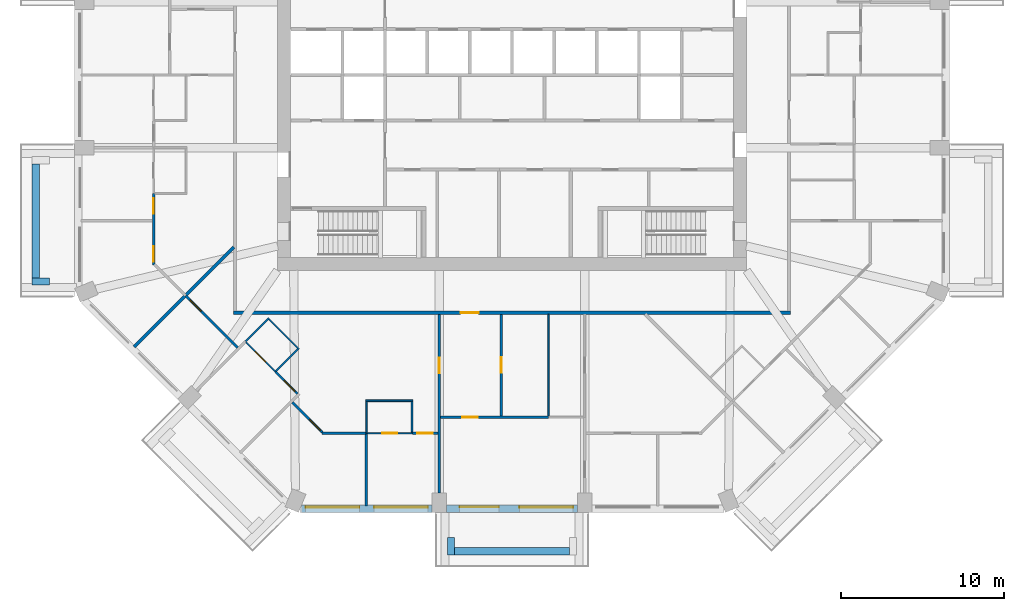
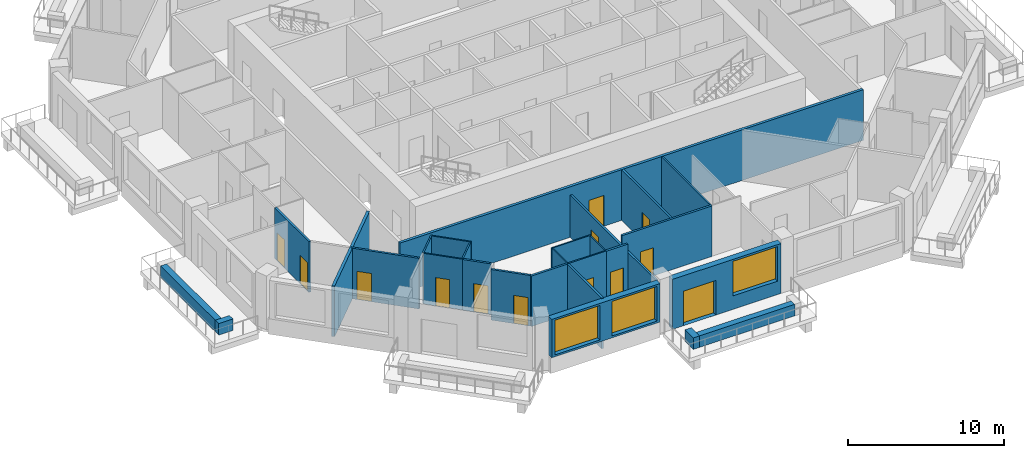
# One storey, part 3 of 13: 27 walls, 13 doors, 3 windows, 16 openings.
"""IFC4 building model written with IfcOpenShell, lengths in metres."""

from ifc_helpers import new_model, si_unit, direction, frame, frame_2d, origin, place, context, subcontext, project, spatial, rectangle, extrude, material, layer, layer_set, type_object, element, fill, save


model = new_model("IFC4")

# Units and contexts
model_context = context("Model", 3, precision=1e-05, world=origin(), true_north=direction((0.0, 1.0)))
body_context = subcontext(model_context, "Body", "Model", "MODEL_VIEW")
ifc_project = project(units=[si_unit("LENGTHUNIT", "METRE"), si_unit("AREAUNIT", "SQUARE_METRE"), si_unit("VOLUMEUNIT", "CUBIC_METRE"), si_unit("PLANEANGLEUNIT", "RADIAN"), si_unit("MASSUNIT", "GRAM", prefix="KILO")], contexts=[model_context])

# Site, building, storey
site_placement = place(None, origin())
site = spatial("IfcSite", under=ifc_project, at=site_placement, CompositionType="ELEMENT")
building_placement = place(site_placement, origin())
building = spatial("IfcBuilding", under=site, at=building_placement, Name="Msitu Wima Residences", CompositionType="ELEMENT")
storey_placement = place(building_placement, frame((0.0, 0.0, 131.699951171875)))
storey = spatial("IfcBuildingStorey", under=building, at=storey_placement, Name="L30", CompositionType="ELEMENT", Elevation=131.699951171875)

# Walls
ifc_material_1 = material(Name="Facing brick")
ifc_layer_1 = layer(ifc_material_1, 0.06494140625, Name="Facing brick")
ifc_material_2 = material(Name="Concrete C40/50", Category="concrete")
ifc_layer_2 = layer(ifc_material_2, 0.156005859375, Name="Concrete C40/50")
ifc_material_3 = material(Name="Waterproofing membrane")
ifc_layer_3 = layer(ifc_material_3, 0.00390625, Name="Waterproofing membrane")
ifc_material_4 = material(Name="Planting soil and planting")
ifc_layer_4 = layer(ifc_material_4, 0.22509765625, Name="Planting soil and planting")
ifc_layer_set_1 = layer_set([ifc_layer_1, ifc_layer_2, ifc_layer_3, ifc_layer_4], Name="Concrete C40/50")
wall_type_1 = type_object("IfcWallType", Name="Balcony planter PLANTER PL450", PredefinedType="USERDEFINED", material=ifc_layer_set_1)
wall_1_placement = place(storey_placement, frame((-29.22509765625, -5.468505859375, 0.0), z_axis=(0.0, 0.0, 1.0), x_axis=(0.0, -1.0, 0.0)))
element("IfcWall", 1, at=wall_1_placement, inside=storey, type_object=wall_type_1, Name="Balcony planter W2 L30", ObjectType="PLANTER", PredefinedType="USERDEFINED", context=body_context, shape_type="SweptSolid", body=[
    extrude(rectangle(XDim=6.9873046875, YDim=0.449951171875, at=frame_2d((3.49365234375, 0.0))), origin(), (0.0, 0.0, 1.0), 0.900146484375),
])
wall_2_placement = place(storey_placement, frame((-28.39990234375, -12.680908203125, 0.0), z_axis=(0.0, 0.0, 1.0), x_axis=(-1.0, 0.0, 0.0)))
element("IfcWall", 2, at=wall_2_placement, inside=storey, type_object=wall_type_1, Name="Balcony planter W2 L30", ObjectType="PLANTER", PredefinedType="USERDEFINED", context=body_context, shape_type="SweptSolid", body=[
    extrude(rectangle(XDim=1.050048828125, YDim=0.449951171875, at=frame_2d((0.52490234375, 0.0))), origin(), (0.0, 0.0, 1.0), 0.900146484375),
])
wall_3_placement = place(storey_placement, frame((-3.5185546875, -29.22509765625, 0.0), z_axis=(0.0, 0.0, 1.0), x_axis=(1.0, 0.0, 0.0)))
element("IfcWall", 3, at=wall_3_placement, inside=storey, type_object=wall_type_1, Name="Balcony planter S1 L30", ObjectType="PLANTER", PredefinedType="USERDEFINED", context=body_context, shape_type="SweptSolid", body=[
    extrude(rectangle(XDim=7.037109375, YDim=0.449951171875, at=frame_2d((3.5185546875, 0.0))), origin(), (0.0, 0.0, 1.0), 0.900146484375),
])
wall_4_placement = place(storey_placement, frame((-3.74365234375, -28.39990234375, 0.0), z_axis=(0.0, 0.0, 1.0), x_axis=(0.0, -1.0, 0.0)))
element("IfcWall", 4, at=wall_4_placement, inside=storey, type_object=wall_type_1, Name="Balcony planter S1 L30", ObjectType="PLANTER", PredefinedType="USERDEFINED", context=body_context, shape_type="SweptSolid", body=[
    extrude(rectangle(XDim=1.050048828125, YDim=0.449951171875, at=frame_2d((0.52490234375, 0.0))), origin(), (0.0, 0.0, 1.0), 0.900146484375),
])

# Wall, openings, windows
ifc_material_5 = material(Name="Brick (red buff mix)", Category="masonry")
ifc_layer_5 = layer(ifc_material_5, 0.449951171875)
ifc_layer_set_2 = layer_set([ifc_layer_5], Name="Brick (red buff mix)")
wall_type_2 = type_object("IfcWallType", Name="Brick infill wall BW450", PredefinedType="SOLIDWALL", material=ifc_layer_set_2)
wall_5_placement = place(storey_placement, frame((-12.918701171875, -26.625, 0.900146484375), z_axis=(0.0, 0.0, 1.0), x_axis=(1.0, 0.0, 0.0)))
wall_5 = element("IfcWall", 5, at=wall_5_placement, inside=storey, type_object=wall_type_2, Name="Brick infill wall L30 S0", PredefinedType="SOLIDWALL", context=body_context, shape_type="SweptSolid", body=[
    extrude(rectangle(XDim=8.0, YDim=0.449951171875, at=frame_2d((4.0, 0.0))), origin(), (0.0, 0.0, 1.0), 3.0),
])
opening_1_placement = place(wall_5_placement, frame((0.25, 0.0, 0.14990234375)))
opening_1 = element("IfcOpeningElement", 6, at=opening_1_placement, cuts=wall_5, Name="Opening W30-32.016", PredefinedType="OPENING", context=body_context, shape_type="SweptSolid", body=[
    extrude(rectangle(XDim=3.300048828125, YDim=2.699951171875, at=frame_2d((1.64990234375, 1.35009765625))), frame((0.0, 0.23486328125, 0.0), z_axis=(0.0, -1.0, 0.0), x_axis=(1.0, 0.0, 0.0)), (0.0, 0.0, 1.0), 0.469970703125),
])
opening_2_placement = place(wall_5_placement, frame((4.4501953125, 0.0, 0.14990234375)))
opening_2 = element("IfcOpeningElement", 7, at=opening_2_placement, cuts=wall_5, Name="Opening W30-32.017", PredefinedType="OPENING", context=body_context, shape_type="SweptSolid", body=[
    extrude(rectangle(XDim=3.300048828125, YDim=2.699951171875, at=frame_2d((1.64990234375, 1.35009765625))), frame((0.0, 0.23486328125, 0.0), z_axis=(0.0, -1.0, 0.0), x_axis=(1.0, 0.0, 0.0)), (0.0, 0.0, 1.0), 0.469970703125),
])
ifc_material_6 = material(Name="Anodised aluminium, bronze finish, clear low-emissivity double glazing", Category="aluminium")
window_type = type_object("IfcWindowType", Name="Window W3300x2700", PartitioningType="DOUBLE_PANEL_VERTICAL", PredefinedType="WINDOW", material=ifc_material_6)
window_1_placement = place(opening_1_placement, origin())
window_1 = element("IfcWindow", 8, at=window_1_placement, inside=storey, type_object=window_type, Name="Window L30 S0.1", OverallHeight=2.699951171875, OverallWidth=3.300048828125, PartitioningType="SINGLE_PANEL", PredefinedType="WINDOW", context=body_context, shape_type="SweptSolid", body=[
    extrude(rectangle(XDim=3.300048828125, YDim=2.699951171875, at=frame_2d((1.64990234375, 1.35009765625))), frame((0.0, 0.135009765625, 0.0), z_axis=(0.0, -1.0, 0.0), x_axis=(1.0, 0.0, 0.0)), (0.0, 0.0, 1.0), 0.06005859375),
])
fill(opening_1, window_1)
window_2_placement = place(opening_2_placement, origin())
window_2 = element("IfcWindow", 9, at=window_2_placement, inside=storey, type_object=window_type, Name="Window L30 S0.2", OverallHeight=2.699951171875, OverallWidth=3.300048828125, PartitioningType="SINGLE_PANEL", PredefinedType="WINDOW", context=body_context, shape_type="SweptSolid", body=[
    extrude(rectangle(XDim=3.300048828125, YDim=2.699951171875, at=frame_2d((1.64990234375, 1.35009765625))), frame((0.0, 0.135009765625, 0.0), z_axis=(0.0, -1.0, 0.0), x_axis=(1.0, 0.0, 0.0)), (0.0, 0.0, 1.0), 0.06005859375),
])
fill(opening_2, window_2)

# Wall, openings, door, window
wall_6_placement = place(storey_placement, frame((-4.0185546875, -26.625, 0.0), z_axis=(0.0, 0.0, 1.0), x_axis=(1.0, 0.0, 0.0)))
wall_6 = element("IfcWall", 10, at=wall_6_placement, inside=storey, type_object=wall_type_2, Name="Brick infill wall L30 S1", PredefinedType="SOLIDWALL", context=body_context, shape_type="SweptSolid", body=[
    extrude(rectangle(XDim=8.037109375, YDim=0.449951171875, at=frame_2d((4.0185546875, 0.0))), origin(), (0.0, 0.0, 1.0), 3.900146484375),
])
opening_3_placement = place(wall_6_placement, frame((0.809326171875, 0.0, 0.0)))
opening_3 = element("IfcOpeningElement", 11, at=opening_3_placement, cuts=wall_6, Name="Opening D30-32.006", PredefinedType="OPENING", context=body_context, shape_type="SweptSolid", body=[
    extrude(rectangle(XDim=2.39990234375, YDim=2.699951171875, at=frame_2d((1.199951171875, 1.35009765625))), frame((0.0, 0.23486328125, 0.0), z_axis=(0.0, -1.0, 0.0), x_axis=(1.0, 0.0, 0.0)), (0.0, 0.0, 1.0), 0.469970703125),
])
opening_4_placement = place(wall_6_placement, frame((4.46875, 0.0, 1.050048828125)))
opening_4 = element("IfcOpeningElement", 12, at=opening_4_placement, cuts=wall_6, Name="Opening W30-32.018", PredefinedType="OPENING", context=body_context, shape_type="SweptSolid", body=[
    extrude(rectangle(XDim=3.300048828125, YDim=2.699951171875, at=frame_2d((1.64990234375, 1.35009765625))), frame((0.0, 0.23486328125, 0.0), z_axis=(0.0, -1.0, 0.0), x_axis=(1.0, 0.0, 0.0)), (0.0, 0.0, 1.0), 0.469970703125),
])
door_type_1 = type_object("IfcDoorType", Name="Balcony door D2400x2700", OperationType="SLIDING_TO_LEFT", PredefinedType="DOOR", material=ifc_material_6)
door_1_placement = place(opening_3_placement, origin())
door_1 = element("IfcDoor", 13, at=door_1_placement, inside=storey, type_object=door_type_1, Name="Balcony door L30 S1", OperationType="SINGLE_SWING_LEFT", OverallHeight=2.699951171875, OverallWidth=2.39990234375, PredefinedType="DOOR", context=body_context, shape_type="SweptSolid", body=[
    extrude(rectangle(XDim=2.39990234375, YDim=2.699951171875, at=frame_2d((1.199951171875, 1.35009765625))), frame((0.0, 0.1298828125, 0.0), z_axis=(0.0, -1.0, 0.0), x_axis=(1.0, 0.0, 0.0)), (0.0, 0.0, 1.0), 0.050048828125),
])
fill(opening_3, door_1)
window_3_placement = place(opening_4_placement, origin())
window_3 = element("IfcWindow", 14, at=window_3_placement, inside=storey, type_object=window_type, Name="Window L30 S1.2", OverallHeight=2.699951171875, OverallWidth=3.300048828125, PartitioningType="SINGLE_PANEL", PredefinedType="WINDOW", context=body_context, shape_type="SweptSolid", body=[
    extrude(rectangle(XDim=3.300048828125, YDim=2.699951171875, at=frame_2d((1.64990234375, 1.35009765625))), frame((0.0, 0.135009765625, 0.0), z_axis=(0.0, -1.0, 0.0), x_axis=(1.0, 0.0, 0.0)), (0.0, 0.0, 1.0), 0.06005859375),
])
fill(opening_4, window_3)

# Wall, opening, door
ifc_material_7 = material(Name="Plaster")
ifc_layer_6 = layer(ifc_material_7, 0.011962890625, Name="Plaster")
ifc_material_8 = material(Name="Concrete blockwork", Category="masonry")
ifc_layer_7 = layer(ifc_material_8, 0.176025390625, Name="Concrete blockwork")
ifc_layer_8 = layer(ifc_material_7, 0.011962890625, Name="Plaster")
ifc_layer_set_3 = layer_set([ifc_layer_6, ifc_layer_7, ifc_layer_8], Name="Concrete blockwork")
wall_type_3 = type_object("IfcWallType", Name="Corridor wall FW200", PredefinedType="PARTITIONING", material=ifc_layer_set_3)
wall_7_placement = place(storey_placement, frame((-17.10009765625, -14.60009765625, 0.0), z_axis=(0.0, 0.0, 1.0), x_axis=(1.0, 0.0, 0.0)))
wall_7 = element("IfcWall", 15, at=wall_7_placement, inside=storey, type_object=wall_type_3, Name="Corridor wall", PredefinedType="PARTITIONING", context=body_context, shape_type="SweptSolid", body=[
    extrude(rectangle(XDim=34.2001953125, YDim=0.199951171875, at=frame_2d((17.10009765625, 0.0))), origin(), (0.0, 0.0, 1.0), 3.949951171875),
])
opening_5_placement = place(wall_7_placement, frame((13.949951171875, 0.0, 0.0)))
opening_5 = element("IfcOpeningElement", 16, at=opening_5_placement, cuts=wall_7, Name="Opening D30-32.013", PredefinedType="OPENING", context=body_context, shape_type="SweptSolid", body=[
    extrude(rectangle(XDim=1.10009765625, YDim=2.39990234375, at=frame_2d((0.550048828125, 1.199951171875))), frame((0.0, 0.10986328125, 0.0), z_axis=(0.0, -1.0, 0.0), x_axis=(1.0, 0.0, 0.0)), (0.0, 0.0, 1.0), 0.219970703125),
])
ifc_material_9 = material(Name="Timber flush door, fire resisting, self-closing", Category="wood")
door_type_2 = type_object("IfcDoorType", Name="Flat entrance door D01 1100x2400", OperationType="SINGLE_SWING_LEFT", PredefinedType="DOOR", material=ifc_material_9)
door_2_placement = place(opening_5_placement, origin())
door_2 = element("IfcDoor", 17, at=door_2_placement, inside=storey, type_object=door_type_2, Name="Flat entrance door", OperationType="SINGLE_SWING_RIGHT", OverallHeight=2.39990234375, OverallWidth=1.10009765625, PredefinedType="DOOR", context=body_context, shape_type="SweptSolid", body=[
    extrude(rectangle(XDim=1.10009765625, YDim=2.39990234375, at=frame_2d((0.550048828125, 1.199951171875))), frame((0.0, 0.02490234375, 0.0), z_axis=(0.0, -1.0, 0.0), x_axis=(1.0, 0.0, 0.0)), (0.0, 0.0, 1.0), 0.050048828125),
])
fill(opening_5, door_2)

# Wall, openings, doors
ifc_layer_9 = layer(ifc_material_7, 0.011962890625, Name="Plaster")
ifc_layer_10 = layer(ifc_material_8, 0.1259765625, Name="Concrete blockwork")
ifc_layer_11 = layer(ifc_material_7, 0.011962890625, Name="Plaster")
ifc_layer_set_4 = layer_set([ifc_layer_9, ifc_layer_10, ifc_layer_11], Name="Concrete blockwork")
wall_type_4 = type_object("IfcWallType", Name="Partition PW150", PredefinedType="PARTITIONING", material=ifc_layer_set_4)
wall_8_placement = place(storey_placement, frame((-22.0, -11.658447265625, 0.0), z_axis=(0.0, 0.0, 1.0), x_axis=(0.0, 1.0, 0.0)))
wall_8 = element("IfcWall", 18, at=wall_8_placement, inside=storey, type_object=wall_type_4, Name="Partition", PredefinedType="PARTITIONING", context=body_context, shape_type="SweptSolid", body=[
    extrude(rectangle(XDim=4.389892578125, YDim=0.14990234375, at=frame_2d((2.19482421875, 0.0))), origin(), (0.0, 0.0, 1.0), 3.949951171875),
])
opening_6_placement = place(wall_8_placement, frame((3.14990234375, 0.0, 0.0)))
opening_6 = element("IfcOpeningElement", 19, at=opening_6_placement, cuts=wall_8, Name="Opening D30-32.048", PredefinedType="OPENING", context=body_context, shape_type="SweptSolid", body=[
    extrude(rectangle(XDim=0.949951171875, YDim=2.199951171875, at=frame_2d((0.47509765625, 1.10009765625))), frame((0.0, 0.0849609375, 0.0), z_axis=(0.0, -1.0, 0.0), x_axis=(1.0, 0.0, 0.0)), (0.0, 0.0, 1.0), 0.169921875),
])
opening_7_placement = place(wall_8_placement, frame((0.199951171875, 0.0, 0.0)))
opening_7 = element("IfcOpeningElement", 20, at=opening_7_placement, cuts=wall_8, Name="Opening D30-32.054", PredefinedType="OPENING", context=body_context, shape_type="SweptSolid", body=[
    extrude(rectangle(XDim=0.949951171875, YDim=2.199951171875, at=frame_2d((0.47509765625, 1.10009765625))), frame((0.0, 0.0849609375, 0.0), z_axis=(0.0, -1.0, 0.0), x_axis=(1.0, 0.0, 0.0)), (0.0, 0.0, 1.0), 0.169921875),
])
ifc_material_10 = material(Name="Timber flush door", Category="wood")
door_type_3 = type_object("IfcDoorType", Name="Room door D12 950x2200", OperationType="SINGLE_SWING_LEFT", PredefinedType="DOOR", material=ifc_material_10)
door_3_placement = place(opening_6_placement, origin())
door_3 = element("IfcDoor", 21, at=door_3_placement, inside=storey, type_object=door_type_3, Name="Room door", OperationType="SINGLE_SWING_LEFT", OverallHeight=2.199951171875, OverallWidth=0.949951171875, PredefinedType="DOOR", context=body_context, shape_type="SweptSolid", body=[
    extrude(rectangle(XDim=0.949951171875, YDim=2.199951171875, at=frame_2d((0.47509765625, 1.10009765625))), frame((0.0, 0.02490234375, 0.0), z_axis=(0.0, -1.0, 0.0), x_axis=(1.0, 0.0, 0.0)), (0.0, 0.0, 1.0), 0.050048828125),
])
fill(opening_6, door_3)
door_4_placement = place(opening_7_placement, origin())
door_4 = element("IfcDoor", 22, at=door_4_placement, inside=storey, type_object=door_type_3, Name="Room door", OperationType="SINGLE_SWING_RIGHT", OverallHeight=2.199951171875, OverallWidth=0.949951171875, PredefinedType="DOOR", context=body_context, shape_type="SweptSolid", body=[
    extrude(rectangle(XDim=0.949951171875, YDim=2.199951171875, at=frame_2d((0.47509765625, 1.10009765625))), frame((0.0, 0.02490234375, 0.0), z_axis=(0.0, -1.0, 0.0), x_axis=(1.0, 0.0, 0.0)), (0.0, 0.0, 1.0), 0.050048828125),
])
fill(opening_7, door_4)

# Wall, opening, door
wall_9_placement = place(storey_placement, frame((-20.040283203125, -13.543212890625, 0.0), z_axis=(0.0, 0.0, 1.0), x_axis=(0.707133793192, -0.707079768149, 0.0)))
wall_9 = element("IfcWall", 23, at=wall_9_placement, inside=storey, type_object=wall_type_4, Name="Partition", PredefinedType="PARTITIONING", context=body_context, shape_type="SweptSolid", body=[
    extrude(rectangle(XDim=4.51904296875, YDim=0.14990234375, at=frame_2d((2.259521484375, 0.0))), origin(), (0.0, 0.0, 1.0), 3.949951171875),
])
opening_8_placement = place(wall_9_placement, frame((0.39990234375, 0.0, 0.0)))
opening_8 = element("IfcOpeningElement", 24, at=opening_8_placement, cuts=wall_9, Name="Opening D30-32.060", PredefinedType="OPENING", context=body_context, shape_type="SweptSolid", body=[
    extrude(rectangle(XDim=0.949951171875, YDim=2.199951171875, at=frame_2d((0.47509765625, 1.10009765625))), frame((0.0, 0.0849609375, 0.0), z_axis=(0.0, -1.0, 0.0), x_axis=(1.0, 0.0, 0.0)), (0.0, 0.0, 1.0), 0.169921875),
])
door_5_placement = place(opening_8_placement, origin())
door_5 = element("IfcDoor", 25, at=door_5_placement, inside=storey, type_object=door_type_3, Name="Room door", OperationType="SINGLE_SWING_RIGHT", OverallHeight=2.199951171875, OverallWidth=0.949951171875, PredefinedType="DOOR", context=body_context, shape_type="SweptSolid", body=[
    extrude(rectangle(XDim=0.949951171875, YDim=2.199951171875, at=frame_2d((0.47509765625, 1.10009765625))), frame((0.0, 0.02490234375, 0.0), z_axis=(0.0, -1.0, 0.0), x_axis=(1.0, 0.0, 0.0)), (0.0, 0.0, 1.0), 0.050048828125),
])
fill(opening_8, door_5)

wall_10_placement = place(storey_placement, frame((-14.514892578125, -18.219970703125, 0.0), z_axis=(0.0, 0.0, 1.0), x_axis=(0.707106781187, -0.707106781187, 0.0)))
wall_10 = element("IfcWall", 26, at=wall_10_placement, inside=storey, type_object=wall_type_4, Name="Partition", PredefinedType="PARTITIONING", context=body_context, shape_type="SweptSolid", body=[
    extrude(rectangle(XDim=1.8994140625, YDim=0.14990234375, at=frame_2d((0.94970703125, 0.0))), origin(), (0.0, 0.0, 1.0), 3.949951171875),
])
opening_9_placement = place(wall_10_placement, frame((0.75, 0.0, 0.0)))
opening_9 = element("IfcOpeningElement", 27, at=opening_9_placement, cuts=wall_10, Name="Opening D30-32.066", PredefinedType="OPENING", context=body_context, shape_type="SweptSolid", body=[
    extrude(rectangle(XDim=0.949951171875, YDim=2.199951171875, at=frame_2d((0.47509765625, 1.10009765625))), frame((0.0, 0.0849609375, 0.0), z_axis=(0.0, -1.0, 0.0), x_axis=(1.0, 0.0, 0.0)), (0.0, 0.0, 1.0), 0.169921875),
])
door_6_placement = place(opening_9_placement, origin())
door_6 = element("IfcDoor", 28, at=door_6_placement, inside=storey, type_object=door_type_3, Name="Room door", OperationType="SINGLE_SWING_LEFT", OverallHeight=2.199951171875, OverallWidth=0.949951171875, PredefinedType="DOOR", context=body_context, shape_type="SweptSolid", body=[
    extrude(rectangle(XDim=0.949951171875, YDim=2.199951171875, at=frame_2d((0.47509765625, 1.10009765625))), frame((0.0, 0.02490234375, 0.0), z_axis=(0.0, -1.0, 0.0), x_axis=(1.0, 0.0, 0.0)), (0.0, 0.0, 1.0), 0.050048828125),
])
fill(opening_9, door_6)

wall_11_placement = place(storey_placement, frame((-13.489990234375, -20.09326171875, 0.0), z_axis=(0.0, 0.0, 1.0), x_axis=(0.707060213517, -0.70715334579, 0.0)))
wall_11 = element("IfcWall", 29, at=wall_11_placement, inside=storey, type_object=wall_type_4, Name="Partition", PredefinedType="PARTITIONING", context=body_context, shape_type="SweptSolid", body=[
    extrude(rectangle(XDim=2.621337890625, YDim=0.14990234375, at=frame_2d((1.310546875, 0.0))), origin(), (0.0, 0.0, 1.0), 3.949951171875),
])
opening_10_placement = place(wall_11_placement, frame((1.5, 0.0, 0.0)))
opening_10 = element("IfcOpeningElement", 30, at=opening_10_placement, cuts=wall_11, Name="Opening D30-32.071", PredefinedType="OPENING", context=body_context, shape_type="SweptSolid", body=[
    extrude(rectangle(XDim=0.949951171875, YDim=2.199951171875, at=frame_2d((0.47509765625, 1.10009765625))), frame((0.0, 0.0849609375, 0.0), z_axis=(0.0, -1.0, 0.0), x_axis=(1.0, 0.0, 0.0)), (0.0, 0.0, 1.0), 0.169921875),
])
door_7_placement = place(opening_10_placement, origin())
door_7 = element("IfcDoor", 31, at=door_7_placement, inside=storey, type_object=door_type_3, Name="Room door", OperationType="SINGLE_SWING_RIGHT", OverallHeight=2.199951171875, OverallWidth=0.949951171875, PredefinedType="DOOR", context=body_context, shape_type="SweptSolid", body=[
    extrude(rectangle(XDim=0.949951171875, YDim=2.199951171875, at=frame_2d((0.47509765625, 1.10009765625))), frame((0.0, 0.02490234375, 0.0), z_axis=(0.0, -1.0, 0.0), x_axis=(1.0, 0.0, 0.0)), (0.0, 0.0, 1.0), 0.050048828125),
])
fill(opening_10, door_7)

# Walls
wall_12_placement = place(storey_placement, frame((-11.658447265625, -22.0, 0.0), z_axis=(0.0, 0.0, 1.0), x_axis=(1.0, 0.0, 0.0)))
element("IfcWall", 32, at=wall_12_placement, inside=storey, type_object=wall_type_4, Name="Partition", PredefinedType="PARTITIONING", context=body_context, shape_type="SweptSolid", body=[
    extrude(rectangle(XDim=2.701171875, YDim=0.14990234375, at=frame_2d((1.3505859375, 0.0))), origin(), (0.0, 0.0, 1.0), 3.949951171875),
])
wall_13_placement = place(storey_placement, frame((-8.937255859375, -26.455078125, 0.0), z_axis=(0.0, 0.0, 1.0), x_axis=(0.0, 1.0, 0.0)))
element("IfcWall", 33, at=wall_13_placement, inside=storey, type_object=wall_type_4, Name="Partition", PredefinedType="PARTITIONING", context=body_context, shape_type="SweptSolid", body=[
    extrude(rectangle(XDim=4.47509765625, YDim=0.14990234375, at=frame_2d((2.237548828125, 0.0))), origin(), (0.0, 0.0, 1.0), 3.949951171875),
])

# Wall, opening, door
wall_14_placement = place(storey_placement, frame((-6.1171875, -22.0, 0.0), z_axis=(0.0, 0.0, 1.0), x_axis=(1.0, 0.0, 0.0)))
wall_14 = element("IfcWall", 34, at=wall_14_placement, inside=storey, type_object=wall_type_4, Name="Partition", PredefinedType="PARTITIONING", context=body_context, shape_type="SweptSolid", body=[
    extrude(rectangle(XDim=1.573486328125, YDim=0.14990234375, at=frame_2d((0.78662109375, 0.0))), origin(), (0.0, 0.0, 1.0), 3.949951171875),
])
opening_11_placement = place(wall_14_placement, frame((0.300048828125, 0.0, 0.0)))
opening_11 = element("IfcOpeningElement", 35, at=opening_11_placement, cuts=wall_14, Name="Opening D30-32.063", PredefinedType="OPENING", context=body_context, shape_type="SweptSolid", body=[
    extrude(rectangle(XDim=0.949951171875, YDim=2.199951171875, at=frame_2d((0.47509765625, 1.10009765625))), frame((0.0, 0.0849609375, 0.0), z_axis=(0.0, -1.0, 0.0), x_axis=(1.0, 0.0, 0.0)), (0.0, 0.0, 1.0), 0.169921875),
])
door_8_placement = place(opening_11_placement, origin())
door_8 = element("IfcDoor", 36, at=door_8_placement, inside=storey, type_object=door_type_3, Name="Room door", OperationType="SINGLE_SWING_LEFT", OverallHeight=2.199951171875, OverallWidth=0.949951171875, PredefinedType="DOOR", context=body_context, shape_type="SweptSolid", body=[
    extrude(rectangle(XDim=0.949951171875, YDim=2.199951171875, at=frame_2d((0.47509765625, 1.10009765625))), frame((0.0, 0.02490234375, 0.0), z_axis=(0.0, -1.0, 0.0), x_axis=(1.0, 0.0, 0.0)), (0.0, 0.0, 1.0), 0.050048828125),
])
fill(opening_11, door_8)

wall_15_placement = place(storey_placement, frame((-4.46875, -25.64990234375, 0.0), z_axis=(0.0, 0.0, 1.0), x_axis=(0.0, 1.0, 0.0)))
wall_15 = element("IfcWall", 37, at=wall_15_placement, inside=storey, type_object=wall_type_4, Name="Partition", PredefinedType="PARTITIONING", context=body_context, shape_type="SweptSolid", body=[
    extrude(rectangle(XDim=10.949951171875, YDim=0.14990234375, at=frame_2d((5.47509765625, 0.0))), origin(), (0.0, 0.0, 1.0), 3.300048828125),
])
opening_12_placement = place(wall_15_placement, frame((7.35009765625, 0.0, 0.0)))
opening_12 = element("IfcOpeningElement", 38, at=opening_12_placement, cuts=wall_15, Name="Opening D30-32.059", PredefinedType="OPENING", context=body_context, shape_type="SweptSolid", body=[
    extrude(rectangle(XDim=0.949951171875, YDim=2.199951171875, at=frame_2d((0.47509765625, 1.10009765625))), frame((0.0, 0.0849609375, 0.0), z_axis=(0.0, -1.0, 0.0), x_axis=(1.0, 0.0, 0.0)), (0.0, 0.0, 1.0), 0.169921875),
])
door_9_placement = place(opening_12_placement, origin())
door_9 = element("IfcDoor", 39, at=door_9_placement, inside=storey, type_object=door_type_3, Name="Room door", OperationType="SINGLE_SWING_RIGHT", OverallHeight=2.199951171875, OverallWidth=0.949951171875, PredefinedType="DOOR", context=body_context, shape_type="SweptSolid", body=[
    extrude(rectangle(XDim=0.949951171875, YDim=2.199951171875, at=frame_2d((0.47509765625, 1.10009765625))), frame((0.0, 0.02490234375, 0.0), z_axis=(0.0, -1.0, 0.0), x_axis=(1.0, 0.0, 0.0)), (0.0, 0.0, 1.0), 0.050048828125),
])
fill(opening_12, door_9)

wall_16_placement = place(storey_placement, frame((-4.3935546875, -21.0, 0.0), z_axis=(0.0, 0.0, 1.0), x_axis=(1.0, 0.0, 0.0)))
wall_16 = element("IfcWall", 40, at=wall_16_placement, inside=storey, type_object=wall_type_4, Name="Partition", PredefinedType="PARTITIONING", context=body_context, shape_type="SweptSolid", body=[
    extrude(rectangle(XDim=6.64501953125, YDim=0.14990234375, at=frame_2d((3.322509765625, 0.0))), origin(), (0.0, 0.0, 1.0), 3.949951171875),
])
opening_13_placement = place(wall_16_placement, frame((1.35009765625, 0.0, 0.0)))
opening_13 = element("IfcOpeningElement", 41, at=opening_13_placement, cuts=wall_16, Name="Opening D30-32.061", PredefinedType="OPENING", context=body_context, shape_type="SweptSolid", body=[
    extrude(rectangle(XDim=0.949951171875, YDim=2.199951171875, at=frame_2d((0.47509765625, 1.10009765625))), frame((0.0, 0.0849609375, 0.0), z_axis=(0.0, -1.0, 0.0), x_axis=(1.0, 0.0, 0.0)), (0.0, 0.0, 1.0), 0.169921875),
])
door_10_placement = place(opening_13_placement, origin())
door_10 = element("IfcDoor", 42, at=door_10_placement, inside=storey, type_object=door_type_3, Name="Room door", OperationType="SINGLE_SWING_RIGHT", OverallHeight=2.199951171875, OverallWidth=0.949951171875, PredefinedType="DOOR", context=body_context, shape_type="SweptSolid", body=[
    extrude(rectangle(XDim=0.949951171875, YDim=2.199951171875, at=frame_2d((0.47509765625, 1.10009765625))), frame((0.0, 0.02490234375, 0.0), z_axis=(0.0, -1.0, 0.0), x_axis=(1.0, 0.0, 0.0)), (0.0, 0.0, 1.0), 0.050048828125),
])
fill(opening_13, door_10)

wall_17_placement = place(storey_placement, frame((-0.668701171875, -20.925048828125, 0.0), z_axis=(0.0, 0.0, 1.0), x_axis=(0.0, 1.0, 0.0)))
wall_17 = element("IfcWall", 43, at=wall_17_placement, inside=storey, type_object=wall_type_4, Name="Partition", PredefinedType="PARTITIONING", context=body_context, shape_type="SweptSolid", body=[
    extrude(rectangle(XDim=6.22509765625, YDim=0.14990234375, at=frame_2d((3.112548828125, 0.0))), origin(), (0.0, 0.0, 1.0), 3.949951171875),
])
opening_14_placement = place(wall_17_placement, frame((2.64990234375, 0.0, 0.0)))
opening_14 = element("IfcOpeningElement", 44, at=opening_14_placement, cuts=wall_17, Name="Opening D30-32.065", PredefinedType="OPENING", context=body_context, shape_type="SweptSolid", body=[
    extrude(rectangle(XDim=0.949951171875, YDim=2.199951171875, at=frame_2d((0.47509765625, 1.10009765625))), frame((0.0, 0.0849609375, 0.0), z_axis=(0.0, -1.0, 0.0), x_axis=(1.0, 0.0, 0.0)), (0.0, 0.0, 1.0), 0.169921875),
])
door_11_placement = place(opening_14_placement, origin())
door_11 = element("IfcDoor", 45, at=door_11_placement, inside=storey, type_object=door_type_3, Name="Room door", OperationType="SINGLE_SWING_LEFT", OverallHeight=2.199951171875, OverallWidth=0.949951171875, PredefinedType="DOOR", context=body_context, shape_type="SweptSolid", body=[
    extrude(rectangle(XDim=0.949951171875, YDim=2.199951171875, at=frame_2d((0.47509765625, 1.10009765625))), frame((0.0, 0.02490234375, 0.0), z_axis=(0.0, -1.0, 0.0), x_axis=(1.0, 0.0, 0.0)), (0.0, 0.0, 1.0), 0.050048828125),
])
fill(opening_14, door_11)

# Walls
ifc_layer_12 = layer(ifc_material_7, 0.011962890625, Name="Plaster")
ifc_material_11 = material(Name="Dense concrete blockwork", Category="masonry")
ifc_layer_13 = layer(ifc_material_11, 0.176025390625, Name="Dense concrete blockwork")
ifc_layer_14 = layer(ifc_material_7, 0.011962890625, Name="Plaster")
ifc_layer_set_5 = layer_set([ifc_layer_12, ifc_layer_13, ifc_layer_14], Name="Dense concrete blockwork")
wall_type_5 = type_object("IfcWallType", Name="Party wall PW200", PredefinedType="PARTITIONING", material=ifc_layer_set_5)
wall_18_placement = place(storey_placement, frame((-23.1904296875, -16.693359375, 0.0), z_axis=(0.0, 0.0, 1.0), x_axis=(0.707106781187, 0.707106781187, 0.0)))
element("IfcWall", 46, at=wall_18_placement, inside=storey, type_object=wall_type_5, Name="Party wall", PredefinedType="PARTITIONING", context=body_context, shape_type="SweptSolid", body=[
    extrude(rectangle(XDim=8.654541015625, YDim=0.199951171875, at=frame_2d((4.3271484375, 0.0))), origin(), (0.0, 0.0, 1.0), 3.949951171875),
])
ifc_material_12 = material(Name="Ceramic tiles")
ifc_layer_15 = layer(ifc_material_12, 0.008056640625, Name="Ceramic tiles")
ifc_material_13 = material(Name="Moisture-resistant board")
ifc_layer_16 = layer(ifc_material_13, 0.012451171875, Name="Moisture-resistant board")
ifc_material_14 = material(Name="Light-gauge stud framing with mineral wool")
ifc_layer_17 = layer(ifc_material_14, 0.06689453125, Name="Light-gauge stud framing with mineral wool")
ifc_layer_18 = layer(ifc_material_13, 0.012451171875, Name="Moisture-resistant board")
ifc_layer_set_6 = layer_set([ifc_layer_15, ifc_layer_16, ifc_layer_17, ifc_layer_18], Name="Light-gauge stud framing with mineral wool")
wall_type_6 = type_object("IfcWallType", Name="Wet wall PW100", PredefinedType="PARTITIONING", material=ifc_layer_set_6)
wall_19_placement = place(storey_placement, frame((-16.353271484375, -16.353271484375, 0.0), z_axis=(0.0, 0.0, 1.0), x_axis=(0.707106781187, 0.707106781187, 0.0)))
element("IfcWall", 47, at=wall_19_placement, inside=storey, type_object=wall_type_6, Name="Wet wall", PredefinedType="PARTITIONING", context=body_context, shape_type="SweptSolid", body=[
    extrude(rectangle(XDim=2.0302734375, YDim=0.10009765625, at=frame_2d((1.01513671875, 0.0))), origin(), (0.0, 0.0, 1.0), 3.949951171875),
])

# Wall, opening, door
wall_20_placement = place(storey_placement, frame((-16.33203125, -16.40283203125, 0.0), z_axis=(0.0, 0.0, 1.0), x_axis=(0.707106781187, -0.707106781187, 0.0)))
wall_20 = element("IfcWall", 48, at=wall_20_placement, inside=storey, type_object=wall_type_6, Name="Wet wall", PredefinedType="PARTITIONING", context=body_context, shape_type="SweptSolid", body=[
    extrude(rectangle(XDim=2.56982421875, YDim=0.10009765625, at=frame_2d((1.284912109375, 0.0))), origin(), (0.0, 0.0, 1.0), 3.949951171875),
])
opening_15_placement = place(wall_20_placement, frame((0.800048828125, 0.0, 0.0)))
opening_15 = element("IfcOpeningElement", 49, at=opening_15_placement, cuts=wall_20, Name="Opening D30-32.067", PredefinedType="OPENING", context=body_context, shape_type="SweptSolid", body=[
    extrude(rectangle(XDim=0.89990234375, YDim=2.199951171875, at=frame_2d((0.449951171875, 1.10009765625))), frame((0.0, 0.06005859375, 0.0), z_axis=(0.0, -1.0, 0.0), x_axis=(1.0, 0.0, 0.0)), (0.0, 0.0, 1.0), 0.1201171875),
])
ifc_material_15 = material(Name="Timber flush door, moisture resistant", Category="wood")
door_type_4 = type_object("IfcDoorType", Name="Bathroom door D03 900x2200", OperationType="SINGLE_SWING_LEFT", PredefinedType="DOOR", material=ifc_material_15)
door_12_placement = place(opening_15_placement, origin())
door_12 = element("IfcDoor", 50, at=door_12_placement, inside=storey, type_object=door_type_4, Name="Bathroom door", OperationType="SINGLE_SWING_LEFT", OverallHeight=2.199951171875, OverallWidth=0.89990234375, PredefinedType="DOOR", context=body_context, shape_type="SweptSolid", body=[
    extrude(rectangle(XDim=0.89990234375, YDim=2.199951171875, at=frame_2d((0.449951171875, 1.10009765625))), frame((0.0, 0.02490234375, 0.0), z_axis=(0.0, -1.0, 0.0), x_axis=(1.0, 0.0, 0.0)), (0.0, 0.0, 1.0), 0.050048828125),
])
fill(opening_15, door_12)

# Walls
wall_21_placement = place(storey_placement, frame((-14.917724609375, -14.988525390625, 0.0), z_axis=(0.0, 0.0, 1.0), x_axis=(0.707059830104, -0.707153729152, 0.0)))
element("IfcWall", 51, at=wall_21_placement, inside=storey, type_object=wall_type_6, Name="Wet wall", PredefinedType="PARTITIONING", context=body_context, shape_type="SweptSolid", body=[
    extrude(rectangle(XDim=2.60009765625, YDim=0.10009765625, at=frame_2d((1.300048828125, 0.0))), origin(), (0.0, 0.0, 1.0), 3.949951171875),
])
wall_22_placement = place(storey_placement, frame((-14.49365234375, -18.17041015625, 0.0), z_axis=(0.0, 0.0, 1.0), x_axis=(0.707171031496, 0.707042525039, 0.0)))
element("IfcWall", 52, at=wall_22_placement, inside=storey, type_object=wall_type_6, Name="Wet wall", PredefinedType="PARTITIONING", context=body_context, shape_type="SweptSolid", body=[
    extrude(rectangle(XDim=1.89990234375, YDim=0.10009765625, at=frame_2d((0.949951171875, 0.0))), origin(), (0.0, 0.0, 1.0), 3.949951171875),
])

# Wall, opening, door
wall_23_placement = place(storey_placement, frame((-8.957275390625, -22.0, 0.0), z_axis=(0.0, 0.0, 1.0), x_axis=(1.0, 0.0, 0.0)))
wall_23 = element("IfcWall", 53, at=wall_23_placement, inside=storey, type_object=wall_type_6, Name="Wet wall", PredefinedType="PARTITIONING", context=body_context, shape_type="SweptSolid", body=[
    extrude(rectangle(XDim=2.840087890625, YDim=0.10009765625, at=frame_2d((1.419921875, 0.0))), origin(), (0.0, 0.0, 1.0), 3.949951171875),
])
opening_16_placement = place(wall_23_placement, frame((1.0, 0.0, 0.0)))
opening_16 = element("IfcOpeningElement", 54, at=opening_16_placement, cuts=wall_23, Name="Opening D30-32.064", PredefinedType="OPENING", context=body_context, shape_type="SweptSolid", body=[
    extrude(rectangle(XDim=0.89990234375, YDim=2.199951171875, at=frame_2d((0.449951171875, 1.10009765625))), frame((0.0, 0.06005859375, 0.0), z_axis=(0.0, -1.0, 0.0), x_axis=(1.0, 0.0, 0.0)), (0.0, 0.0, 1.0), 0.1201171875),
])
door_13_placement = place(opening_16_placement, origin())
door_13 = element("IfcDoor", 55, at=door_13_placement, inside=storey, type_object=door_type_4, Name="Bathroom door", OperationType="SINGLE_SWING_RIGHT", OverallHeight=2.199951171875, OverallWidth=0.89990234375, PredefinedType="DOOR", context=body_context, shape_type="SweptSolid", body=[
    extrude(rectangle(XDim=0.89990234375, YDim=2.199951171875, at=frame_2d((0.449951171875, 1.10009765625))), frame((0.0, 0.02490234375, 0.0), z_axis=(0.0, -1.0, 0.0), x_axis=(1.0, 0.0, 0.0)), (0.0, 0.0, 1.0), 0.050048828125),
])
fill(opening_16, door_13)

# Walls
wall_24_placement = place(storey_placement, frame((-8.937255859375, -21.97998046875, 0.0), z_axis=(0.0, 0.0, 1.0), x_axis=(0.0, 1.0, 0.0)))
element("IfcWall", 56, at=wall_24_placement, inside=storey, type_object=wall_type_6, Name="Wet wall", PredefinedType="PARTITIONING", context=body_context, shape_type="SweptSolid", body=[
    extrude(rectangle(XDim=1.929931640625, YDim=0.10009765625, at=frame_2d((0.96484375, 0.0))), origin(), (0.0, 0.0, 1.0), 3.949951171875),
])
wall_25_placement = place(storey_placement, frame((-8.9873046875, -20.0, 0.0), z_axis=(0.0, 0.0, 1.0), x_axis=(1.0, 0.0, 0.0)))
element("IfcWall", 57, at=wall_25_placement, inside=storey, type_object=wall_type_6, Name="Wet wall", PredefinedType="PARTITIONING", context=body_context, shape_type="SweptSolid", body=[
    extrude(rectangle(XDim=2.900146484375, YDim=0.10009765625, at=frame_2d((1.4501953125, 0.0))), origin(), (0.0, 0.0, 1.0), 3.949951171875),
])
wall_26_placement = place(storey_placement, frame((-6.13720703125, -21.925048828125, 0.0), z_axis=(0.0, 0.0, 1.0), x_axis=(0.0, 1.0, 0.0)))
element("IfcWall", 58, at=wall_26_placement, inside=storey, type_object=wall_type_6, Name="Wet wall", PredefinedType="PARTITIONING", context=body_context, shape_type="SweptSolid", body=[
    extrude(rectangle(XDim=1.875, YDim=0.10009765625, at=frame_2d((0.9375, 0.0))), origin(), (0.0, 0.0, 1.0), 3.949951171875),
])
wall_27_placement = place(storey_placement, frame((2.2314453125, -20.925048828125, 0.0), z_axis=(0.0, 0.0, 1.0), x_axis=(0.0, 1.0, 0.0)))
element("IfcWall", 59, at=wall_27_placement, inside=storey, type_object=wall_type_6, Name="Wet wall", PredefinedType="PARTITIONING", context=body_context, shape_type="SweptSolid", body=[
    extrude(rectangle(XDim=6.22509765625, YDim=0.10009765625, at=frame_2d((3.112548828125, 0.0))), origin(), (0.0, 0.0, 1.0), 3.949951171875),
])

save(model, "model.ifc")
